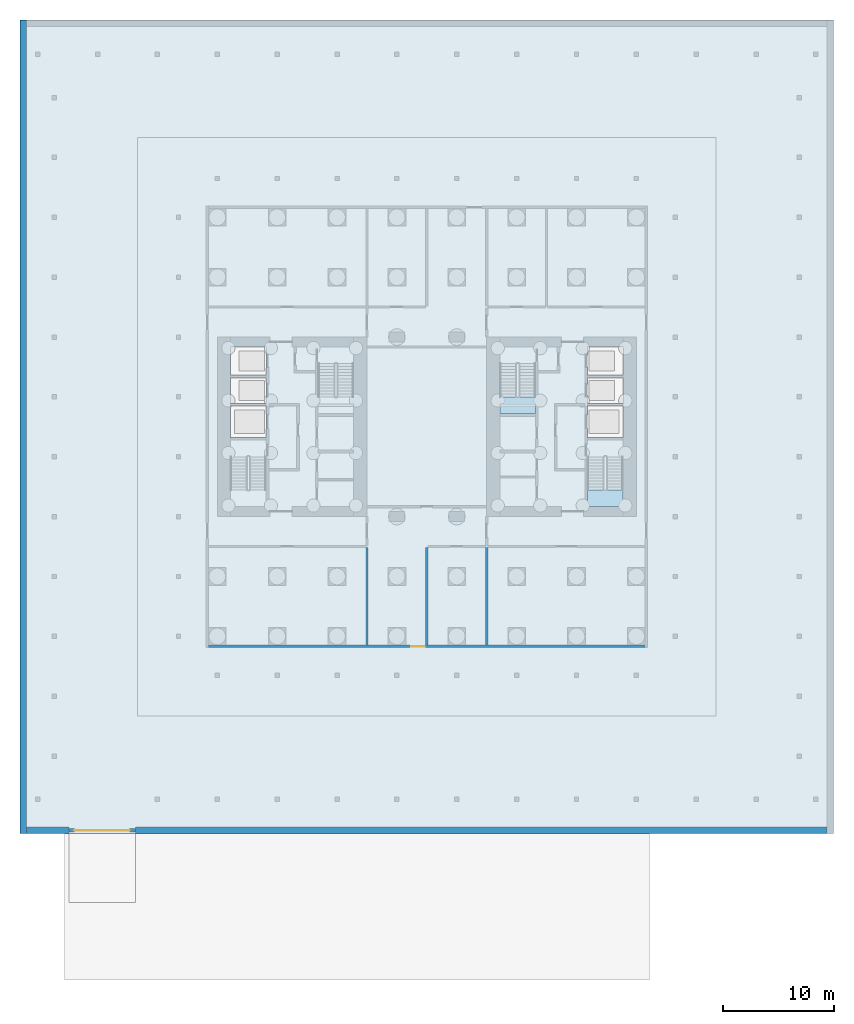
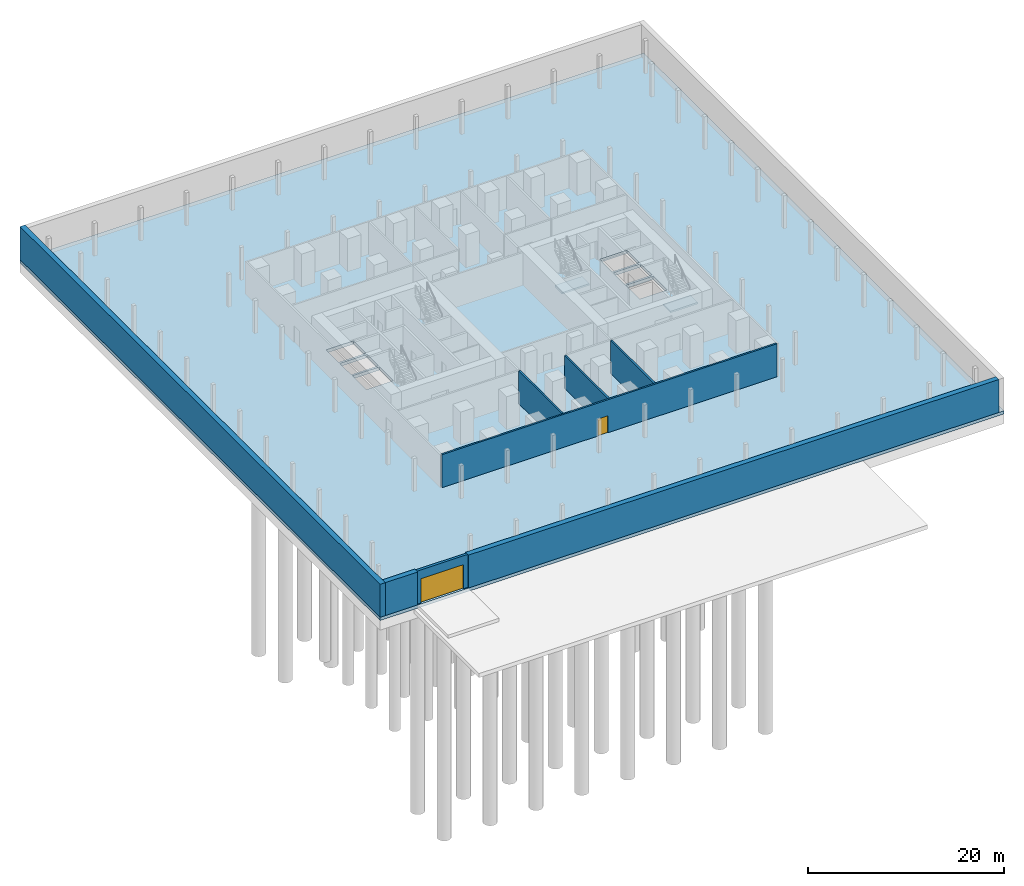
# One storey, part 2 of 8: 8 walls, 3 slabs, 2 doors, 2 openings, 2 elements without a shape of their own.
"""IFC4 building model written with IfcOpenShell, lengths in metres."""

from ifc_helpers import new_model, si_unit, direction, frame, frame_2d, origin, place, context, subcontext, project, spatial, polyline, rectangle, outline, extrude, material, layer, layer_set, type_object, element, fill, aggregate, save


model = new_model("IFC4")

# Units and contexts
model_context = context("Model", 3, precision=1e-05, world=origin(), true_north=direction((0.0, 1.0)))
body_context = subcontext(model_context, "Body", "Model", "MODEL_VIEW")
ifc_project = project(units=[si_unit("LENGTHUNIT", "METRE"), si_unit("AREAUNIT", "SQUARE_METRE"), si_unit("VOLUMEUNIT", "CUBIC_METRE"), si_unit("PLANEANGLEUNIT", "RADIAN"), si_unit("MASSUNIT", "GRAM", prefix="KILO")], contexts=[model_context])

# Site, building, storey
site_placement = place(None, origin())
site = spatial("IfcSite", under=ifc_project, at=site_placement, CompositionType="ELEMENT")
building_placement = place(site_placement, origin())
building = spatial("IfcBuilding", under=site, at=building_placement, Name="Tabaq Tower and Sports Hall", CompositionType="ELEMENT")
storey_placement = place(building_placement, frame((0.0, 0.0, -9.0)))
storey = spatial("IfcBuildingStorey", under=building, at=storey_placement, Name="B02", CompositionType="ELEMENT", Elevation=-9.0)

# Stair, slab
ifc_material_1 = material(Name="Concrete C40/50", Category="concrete")
stair_type = type_object("IfcStairType", Name="Exit stair", PredefinedType="HALF_TURN_STAIR", material=ifc_material_1)
stair_1_placement = place(storey_placement, origin())
stair_1 = element("IfcStair", 1, at=stair_1_placement, inside=storey, type_object=stair_type, Name="B02 Exit stair ST3", PredefinedType="HALF_TURN_STAIR")
ifc_material_2 = material(Name="Concrete C40/50", Category="concrete")
ifc_layer_1 = layer(ifc_material_2, 0.199951171875)
ifc_layer_set_1 = layer_set([ifc_layer_1], Name="Exit stair landing")
slab_type_1 = type_object("IfcSlabType", Name="Exit stair landing", PredefinedType="LANDING", material=ifc_layer_set_1)
slab_1_placement = place(storey_placement, frame((0.0, 0.0, 2.050048828125)))
slab_1 = element("IfcSlab", 2, at=slab_1_placement, type_object=slab_type_1, Name="ST3 landing 1", PredefinedType="LANDING", context=body_context, shape_type="SweptSolid", body=[
    extrude(outline(polyline([(38.800048828125, 18.60009765625), (38.800048828125, 17.10009765625), (42.0, 17.10009765625), (42.0, 18.60009765625), (38.800048828125, 18.60009765625)])), origin(), (0.0, 0.0, 1.0), 0.199951171875),
])
aggregate(stair_1, [slab_1])

stair_2_placement = place(storey_placement, origin())
stair_2 = element("IfcStair", 3, at=stair_2_placement, inside=storey, type_object=stair_type, Name="B02 Exit stair ST4", PredefinedType="HALF_TURN_STAIR")
slab_2_placement = place(storey_placement, frame((0.0, 0.0, 2.050048828125)))
slab_2 = element("IfcSlab", 4, at=slab_2_placement, type_object=slab_type_1, Name="ST4 landing 1", PredefinedType="LANDING", context=body_context, shape_type="SweptSolid", body=[
    extrude(outline(polyline([(30.89990234375, 27.0), (30.89990234375, 25.5), (34.10009765625, 25.5), (34.10009765625, 27.0), (30.89990234375, 27.0)])), origin(), (0.0, 0.0, 1.0), 0.199951171875),
])
aggregate(stair_2, [slab_2])

# Slab
ifc_material_3 = material(Name="Concrete C40/50", Category="concrete")
ifc_layer_2 = layer(ifc_material_3, 0.39990234375)
ifc_layer_set_2 = layer_set([ifc_layer_2], Name="RC BASE SLAB 400 C40/50")
slab_type_2 = type_object("IfcSlabType", Name="RC BASE SLAB 400 C40/50", PredefinedType="BASESLAB", material=ifc_layer_set_2)
slab_3_placement = place(storey_placement, frame((0.0, 0.0, -0.39990234375)))
element("IfcSlab", 5, at=slab_3_placement, inside=storey, type_object=slab_type_2, Name="Base Slab B02", PredefinedType="BASESLAB", context=body_context, shape_type="SweptSolid", body=[
    extrude(outline(polyline([(-12.39990234375, -12.39990234375), (61.0, -12.39990234375), (61.0, 61.0), (-12.39990234375, 61.0), (-12.39990234375, -12.39990234375)]), holes=[polyline([(6.60009765625, 26.175048828125), (9.800048828125, 26.175048828125), (9.800048828125, 23.35009765625), (6.60009765625, 23.35009765625), (6.60009765625, 26.175048828125)]), polyline([(42.0, 26.175048828125), (42.0, 23.35009765625), (38.800048828125, 23.35009765625), (38.800048828125, 26.175048828125), (42.0, 26.175048828125)]), polyline([(9.800048828125, 28.72509765625), (9.800048828125, 26.425048828125), (6.60009765625, 26.425048828125), (6.60009765625, 28.72509765625), (9.800048828125, 28.72509765625)]), polyline([(38.800048828125, 28.72509765625), (42.0, 28.72509765625), (42.0, 26.425048828125), (38.800048828125, 26.425048828125), (38.800048828125, 28.72509765625)]), polyline([(9.800048828125, 31.5), (9.800048828125, 28.97509765625), (6.60009765625, 28.97509765625), (6.60009765625, 31.5), (9.800048828125, 31.5)]), polyline([(42.0, 31.5), (42.0, 28.97509765625), (38.800048828125, 28.97509765625), (38.800048828125, 31.5), (42.0, 31.5)])]), origin(), (0.0, 0.0, 1.0), 0.39990234375),
])

# Wall, opening, door
ifc_material_4 = material(Name="Blockwork", Category="masonry")
ifc_layer_3 = layer(ifc_material_4, 0.199951171875)
ifc_layer_set_3 = layer_set([ifc_layer_3], Name="Blockwork Wall 200 EI 120")
wall_type_1 = type_object("IfcWallType", Name="Blockwork Wall 200 EI 120", PredefinedType="PARTITIONING", material=ifc_layer_set_3)
wall_1_placement = place(storey_placement, frame((4.60009765625, 4.5, 0.0), z_axis=(0.0, 0.0, 1.0), x_axis=(1.0, 0.0, 0.0)))
wall_1 = element("IfcWall", 6, at=wall_1_placement, inside=storey, type_object=wall_type_1, Name="Wall B02-01", PredefinedType="PARTITIONING", context=body_context, shape_type="SweptSolid", body=[
    extrude(rectangle(XDim=39.39990234375, YDim=0.199951171875, at=frame_2d((19.699951171875, 0.0))), origin(), (0.0, 0.0, 1.0), 4.10009765625),
])
opening_1_placement = place(wall_1_placement, frame((18.300048828125, 0.0, 0.0)))
opening_1 = element("IfcOpeningElement", 7, at=opening_1_placement, cuts=wall_1, Name="Opening B02-01", PredefinedType="OPENING", context=body_context, shape_type="SweptSolid", body=[
    extrude(rectangle(XDim=1.199951171875, YDim=2.10009765625, at=frame_2d((0.60009765625, 1.050048828125))), frame((0.0, 0.10986328125, 0.0), z_axis=(0.0, -1.0, 0.0), x_axis=(1.0, 0.0, 0.0)), (0.0, 0.0, 1.0), 0.219970703125),
])
ifc_material_5 = material(Name="Hollow metal fire door")
door_type_1 = type_object("IfcDoorType", Name="Basement Door 1200 FD120S", OperationType="SINGLE_SWING_LEFT", PredefinedType="DOOR", material=ifc_material_5)
door_1_placement = place(opening_1_placement, origin())
door_1 = element("IfcDoor", 8, at=door_1_placement, inside=storey, type_object=door_type_1, Name="Door B02-01", OperationType="SINGLE_SWING_LEFT", OverallHeight=2.10009765625, OverallWidth=1.199951171875, PredefinedType="DOOR", context=body_context, shape_type="SweptSolid", body=[
    extrude(rectangle(XDim=1.199951171875, YDim=2.10009765625, at=frame_2d((0.60009765625, 1.050048828125))), frame((0.0, 0.02490234375, 0.0), z_axis=(0.0, -1.0, 0.0), x_axis=(1.0, 0.0, 0.0)), (0.0, 0.0, 1.0), 0.050048828125),
])
fill(opening_1, door_1)

# Walls
for number, where, z_axis, x_axis, name in (
    (9, (18.89990234375, 4.60009765625, 0.0), (0.0, 0.0, 1.0), (0.0, 1.0, 0.0), "Wall B02-05"),
    (10, (24.300048828125, 4.60009765625, 0.0), (0.0, 0.0, 1.0), (0.0, 1.0, 0.0), "Wall B02-06"),
    (11, (29.699951171875, 4.60009765625, 0.0), (0.0, 0.0, 1.0), (0.0, 1.0, 0.0), "Wall B02-07"),
):
    element("IfcWall", number, at=place(storey_placement, frame(where, z_axis=z_axis, x_axis=x_axis)), inside=storey, type_object=wall_type_1, Name=name, PredefinedType="PARTITIONING", context=body_context, shape_type="SweptSolid", body=[
        extrude(rectangle(XDim=8.7998046875, YDim=0.199951171875, at=frame_2d((4.39990234375, 0.0))), origin(), (0.0, 0.0, 1.0), 4.10009765625),
    ])
ifc_material_6 = material(Name="Concrete C60/75", Category="concrete")
ifc_layer_4 = layer(ifc_material_6, 0.60009765625)
ifc_layer_set_4 = layer_set([ifc_layer_4], Name="RC RETAINING WALL 600 C60/75")
wall_type_2 = type_object("IfcWallType", Name="RC RETAINING WALL 600 C60/75", PredefinedType="SOLIDWALL", material=ifc_layer_set_4)
wall_2_placement = place(storey_placement, frame((-12.10009765625, -12.39990234375, 0.0), z_axis=(0.0, 0.0, 1.0), x_axis=(0.0, 1.0, 0.0)))
element("IfcWall", 12, at=wall_2_placement, inside=storey, type_object=wall_type_2, Name="Retaining Wall West B02", PredefinedType="SOLIDWALL", context=body_context, shape_type="SweptSolid", body=[
    extrude(rectangle(XDim=73.39990234375, YDim=0.60009765625, at=frame_2d((36.699951171875, 0.0))), origin(), (0.0, 0.0, 1.0), 4.10009765625),
])
wall_3_placement = place(storey_placement, frame((-11.800048828125, -12.10009765625, 0.0), z_axis=(0.0, 0.0, 1.0), x_axis=(1.0, 0.0, 0.0)))
element("IfcWall", 13, at=wall_3_placement, inside=storey, type_object=wall_type_2, Name="Retaining Wall South B02", PredefinedType="SOLIDWALL", context=body_context, shape_type="SweptSolid", body=[
    extrude(rectangle(XDim=3.800048828125, YDim=0.60009765625, at=frame_2d((1.89990234375, 0.0))), origin(), (0.0, 0.0, 1.0), 4.10009765625),
])
wall_4_placement = place(storey_placement, frame((-2.0, -12.10009765625, 0.0), z_axis=(0.0, 0.0, 1.0), x_axis=(1.0, 0.0, 0.0)))
element("IfcWall", 14, at=wall_4_placement, inside=storey, type_object=wall_type_2, Name="Retaining Wall South B02 part 2", PredefinedType="SOLIDWALL", context=body_context, shape_type="SweptSolid", body=[
    extrude(rectangle(XDim=62.39990234375, YDim=0.60009765625, at=frame_2d((31.199951171875, 0.0))), origin(), (0.0, 0.0, 1.0), 4.10009765625),
])

# Wall, opening, door
ifc_material_7 = material(Name="Concrete C40/50", Category="concrete")
ifc_layer_5 = layer(ifc_material_7, 0.300048828125)
ifc_layer_set_5 = layer_set([ifc_layer_5], Name="Vehicle Gate Surround Wall 300")
wall_type_3 = type_object("IfcWallType", Name="Vehicle Gate Surround Wall 300", PredefinedType="SOLIDWALL", material=ifc_layer_set_5)
wall_5_placement = place(storey_placement, frame((-8.0, -12.10009765625, 0.0), z_axis=(0.0, 0.0, 1.0), x_axis=(1.0, 0.0, 0.0)))
wall_5 = element("IfcWall", 15, at=wall_5_placement, inside=storey, type_object=wall_type_3, Name="Vehicle Gate Wall B02", PredefinedType="SOLIDWALL", context=body_context, shape_type="SweptSolid", body=[
    extrude(rectangle(XDim=6.0, YDim=0.300048828125, at=frame_2d((3.0, 0.0))), origin(), (0.0, 0.0, 1.0), 4.10009765625),
])
opening_2_placement = place(wall_5_placement, frame((0.5, 0.0, 0.0)))
opening_2 = element("IfcOpeningElement", 16, at=opening_2_placement, cuts=wall_5, Name="Opening B02-19", PredefinedType="OPENING", context=body_context, shape_type="SweptSolid", body=[
    extrude(rectangle(XDim=5.0, YDim=3.0, at=frame_2d((2.5, 1.5))), frame((0.0, 0.16015625, 0.0), z_axis=(0.0, -1.0, 0.0), x_axis=(1.0, 0.0, 0.0)), (0.0, 0.0, 1.0), 0.320068359375),
])
ifc_material_8 = material(Name="Galvanised steel roller shutter", Category="steel")
door_type_2 = type_object("IfcDoorType", Name="Vehicle Gate Roller Shutter 5000x3000", OperationType="ROLLINGUP", PredefinedType="DOOR", material=ifc_material_8)
door_2_placement = place(opening_2_placement, origin())
door_2 = element("IfcDoor", 17, at=door_2_placement, inside=storey, type_object=door_type_2, Name="Vehicle Gate B02-19", OperationType="ROLLINGUP", OverallHeight=3.0, OverallWidth=5.0, PredefinedType="DOOR", context=body_context, shape_type="SweptSolid", body=[
    extrude(rectangle(XDim=5.0, YDim=3.0, at=frame_2d((2.5, 1.5))), frame((0.0, 0.02490234375, 0.0), z_axis=(0.0, -1.0, 0.0), x_axis=(1.0, 0.0, 0.0)), (0.0, 0.0, 1.0), 0.050048828125),
])
fill(opening_2, door_2)

save(model, "model.ifc")
